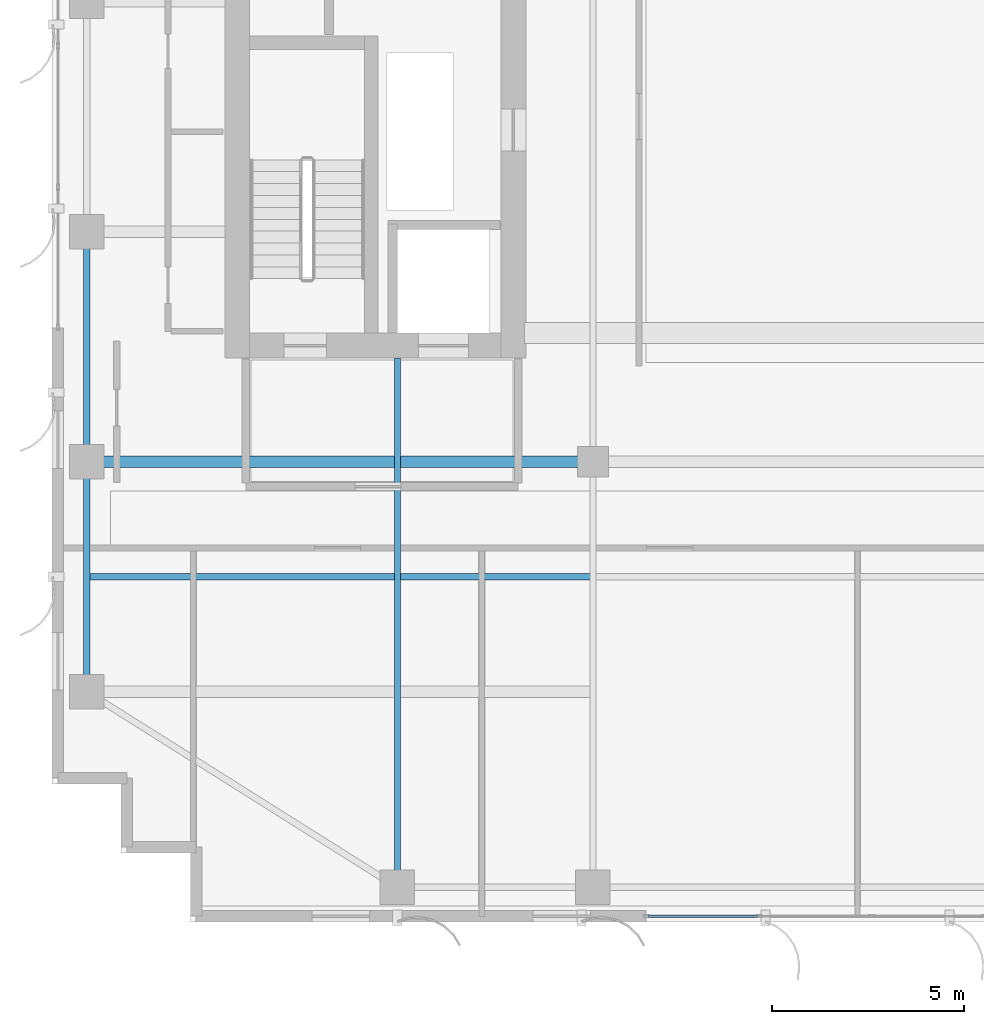
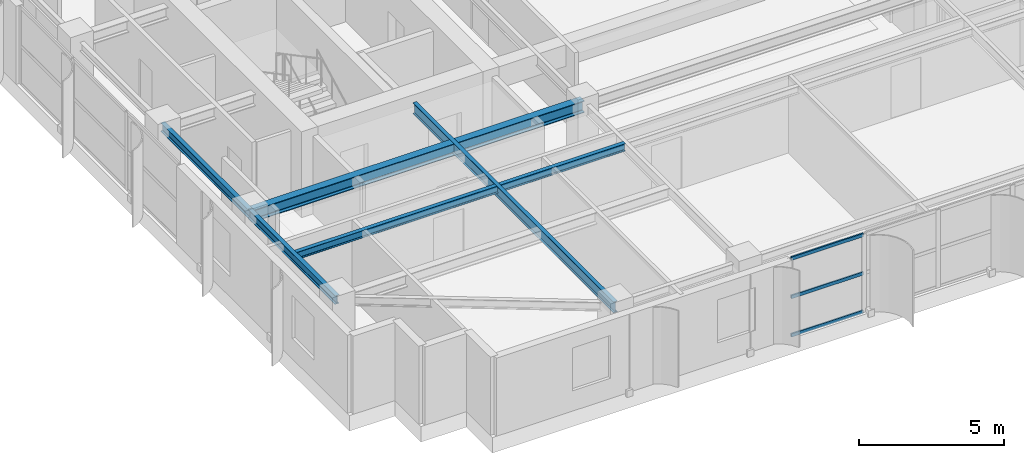
# One storey, part 3 of 25: 5 beams, 3 members, 1 element without a shape of its own.
"""IFC4 building model written with IfcOpenShell, lengths in metres."""

import ifcopenshell
import ifcopenshell.guid

model = None  # the IFC model being written
_history = None  # IfcOwnerHistory: only IFC2X3 demands one
_inside = {}  # id of a spatial element -> (the spatial element, [elements in it])
_under = {}  # id of a project, library or spatial element -> (it, [spatial elements below it])
_declared = {}  # id of a project -> (the project, [libraries it declares])
_typed = {}  # id of a type object -> (the type object, [elements of that type])
_made_of = {}  # id of a material, layer set ... -> (it, [elements and type objects made of it])


def new_model(schema):
    """Start an empty IFC model of exactly this schema.

    Asked for "IFC4X3", IfcOpenShell would pick the latest addendum, in which some entities
    have other attributes; the version numbers below select the first issue.
    IFC2X3 requires an IfcOwnerHistory on every rooted entity: one is made here for all.
    """
    global model, _history
    if schema == "IFC4X3":
        model = ifcopenshell.file(schema_version=(4, 3, 0, 0))
    else:
        model = ifcopenshell.file(schema=schema)
    _inside.clear()
    _under.clear()
    _declared.clear()
    _typed.clear()
    _made_of.clear()
    _history = None
    if model.schema == "IFC2X3":
        org = make("IfcOrganization", Name="unknown")
        user = make(
            "IfcPersonAndOrganization",
            ThePerson=make("IfcPerson", FamilyName="unknown"),
            TheOrganization=org,
        )
        app = make(
            "IfcApplication",
            ApplicationDeveloper=org,
            Version="unknown",
            ApplicationFullName="unknown",
            ApplicationIdentifier="unknown",
        )
        _history = make(
            "IfcOwnerHistory",
            OwningUser=user,
            OwningApplication=app,
            ChangeAction="ADDED",
            CreationDate=0,
        )
    return model


def make(cls, **values):
    """One entity of the class cls with the attributes given. An attribute that is None is left unset."""
    return model.create_entity(
        cls, **{name: value for name, value in values.items() if value is not None}
    )


def rooted(cls, **values):
    """An entity with a GlobalId (a new one), such as an element, a storey or a relation."""
    return make(cls, GlobalId=ifcopenshell.guid.new(), OwnerHistory=_history, **values)


def si_unit(unit_type, name, prefix=None):
    """IfcSIUnit, for example si_unit("LENGTHUNIT", "METRE", prefix="MILLI")."""
    return make("IfcSIUnit", UnitType=unit_type, Prefix=prefix, Name=name)


def assignment(units):
    """IfcUnitAssignment: the units of a project."""
    return None if units is None else make("IfcUnitAssignment", Units=units)


def point(xyz):
    """IfcCartesianPoint."""
    return None if xyz is None else make("IfcCartesianPoint", Coordinates=xyz)


def direction(xyz):
    """IfcDirection."""
    return None if xyz is None else make("IfcDirection", DirectionRatios=xyz)


def frame(location, z_axis=None, x_axis=None):
    """IfcAxis2Placement3D, a coordinate frame: its origin and axes. An axis left out is left unset."""
    return make(
        "IfcAxis2Placement3D",
        Location=point(location),
        Axis=direction(z_axis),
        RefDirection=direction(x_axis),
    )


def frame_2d(location, x_axis=None):
    """IfcAxis2Placement2D, a coordinate frame in the plane: its origin and x axis."""
    return make(
        "IfcAxis2Placement2D", Location=point(location), RefDirection=direction(x_axis)
    )


def origin():
    """The frame at (0, 0, 0) with its axes left unset."""
    return frame((0.0, 0.0, 0.0))


def origin_2d():
    """The frame at (0, 0) in the plane with its x axis left unset."""
    return frame_2d((0.0, 0.0))


def place(relative_to, where):
    """IfcLocalPlacement: puts the frame where relative to a parent placement (None: the world)."""
    return make(
        "IfcLocalPlacement", PlacementRelTo=relative_to, RelativePlacement=where
    )


def context(
    kind, dimensions, precision=None, world=None, true_north=None, identifier=None
):
    """IfcGeometricRepresentationContext, for example the 3D "Model" context."""
    return make(
        "IfcGeometricRepresentationContext",
        ContextIdentifier=identifier,
        ContextType=kind,
        CoordinateSpaceDimension=dimensions,
        Precision=precision,
        WorldCoordinateSystem=world,
        TrueNorth=true_north,
    )


def subcontext(parent, identifier, kind, view, scale=None):
    """IfcGeometricRepresentationSubContext, for example "Body" below "Model"."""
    return make(
        "IfcGeometricRepresentationSubContext",
        ContextIdentifier=identifier,
        ContextType=kind,
        ParentContext=parent,
        TargetScale=scale,
        TargetView=view,
    )


def project(units=None, contexts=None):
    """IfcProject with its units and contexts."""
    return rooted(
        "IfcProject",
        Name="project",
        RepresentationContexts=contexts,
        UnitsInContext=assignment(units),
    )


def spatial(cls, under=None, at=None, **own):
    """A site, building, storey or space (cls), placed at a placement, below another one or the project."""
    s = rooted(cls, ObjectPlacement=at, **own)
    if under is not None:
        _under.setdefault(under.id(), (under, []))[1].append(s)
    return s


def profile(cls, at=None, kind="AREA", **sizes):
    """A parametric profile (cls). Its sizes go by their IFC names, for example OverallWidth=200.0."""
    return make(cls, ProfileType=kind, Position=at, **sizes)


def hollow_rectangle(**sizes):
    """IfcRectangleHollowProfileDef."""
    return profile("IfcRectangleHollowProfileDef", **sizes)


def i_section(**sizes):
    """IfcIShapeProfileDef."""
    return profile("IfcIShapeProfileDef", **sizes)


def extrude(swept, where, along, depth):
    """IfcExtrudedAreaSolid: the profile swept, set in the frame where, extruded along a direction by depth."""
    return make(
        "IfcExtrudedAreaSolid",
        SweptArea=swept,
        Position=where,
        ExtrudedDirection=direction(along),
        Depth=depth,
    )


def shape(context_of_items, identifier, shape_type, items):
    """IfcShapeRepresentation: the items that make up one representation, for example the "Body"."""
    return make(
        "IfcShapeRepresentation",
        ContextOfItems=context_of_items,
        RepresentationIdentifier=identifier,
        RepresentationType=shape_type,
        Items=items,
    )


def source(mapping_origin, context_of_items, identifier, shape_type, items):
    """IfcRepresentationMap: a shape defined once, which mapped items show again and again."""
    return make(
        "IfcRepresentationMap",
        MappingOrigin=mapping_origin,
        MappedRepresentation=shape(context_of_items, identifier, shape_type, items),
    )


def transform(
    local_origin,
    x_axis=None,
    y_axis=None,
    z_axis=None,
    scale=None,
    scale2=None,
    scale3=None,
    uniform=True,
):
    """IfcCartesianTransformationOperator3D, or its non-uniform kind. x_axis, y_axis, z_axis: its Axis1, 2, 3."""
    if uniform:
        return make(
            "IfcCartesianTransformationOperator3D",
            Axis1=direction(x_axis),
            Axis2=direction(y_axis),
            LocalOrigin=point(local_origin),
            Scale=scale,
            Axis3=direction(z_axis),
        )
    return make(
        "IfcCartesianTransformationOperator3DnonUniform",
        Axis1=direction(x_axis),
        Axis2=direction(y_axis),
        LocalOrigin=point(local_origin),
        Scale=scale,
        Axis3=direction(z_axis),
        Scale2=scale2,
        Scale3=scale3,
    )


def mapped(mapping_source, mapping_target):
    """IfcMappedItem: shows the shape of a source again, moved by a transform."""
    return make(
        "IfcMappedItem", MappingSource=mapping_source, MappingTarget=mapping_target
    )


def material(Name=None, Category=None):
    """IfcMaterial."""
    return make("IfcMaterial", Name=Name, Category=Category)


def layer(
    of_material, thickness, ventilated=None, Name=None, Category=None, Priority=None
):
    """IfcMaterialLayer: one layer of a wall or slab, of a material (None: an air gap)."""
    return make(
        "IfcMaterialLayer",
        Material=of_material,
        LayerThickness=thickness,
        IsVentilated=ventilated,
        Name=Name,
        Category=Category,
        Priority=Priority,
    )


def layer_set(layers, Name=None):
    """IfcMaterialLayerSet."""
    return make("IfcMaterialLayerSet", MaterialLayers=layers, LayerSetName=Name)


def material_profile(
    of_material, cross_section, Name=None, Category=None, Priority=None
):
    """IfcMaterialProfile: a cross section and its material."""
    return make(
        "IfcMaterialProfile",
        Name=Name,
        Material=of_material,
        Profile=cross_section,
        Priority=Priority,
        Category=Category,
    )


def profile_set(profiles, Name=None, composite=None):
    """IfcMaterialProfileSet."""
    return make(
        "IfcMaterialProfileSet",
        Name=Name,
        MaterialProfiles=profiles,
        CompositeProfile=composite,
    )


def made_of(thing, what):
    """Note that an element or type object is made of a material, layer set ...; save() writes the relation."""
    if what is not None:
        _made_of.setdefault(what.id(), (what, []))[1].append(thing)
    return thing


def type_object(cls, material=None, **own):
    """A type object (cls), such as IfcWallType, which elements share."""
    return made_of(rooted(cls, **own), material)


def element(
    cls,
    number,
    at=None,
    inside=None,
    cuts=None,
    type_object=None,
    material=None,
    context=None,
    identifier="Body",
    shape_type=None,
    held_by="IfcProductDefinitionShape",
    body=None,
    shapes=None,
    **own,
):
    """One element of the class cls, such as IfcWall. Its Tag is "e" and its number.

    at: its placement. inside: the storey or other place that contains it. cuts: it is an
    opening in that element (IfcRelVoidsElement). A single representation is given by context,
    identifier, shape_type and body (its items); several are given by shapes. held_by: the class
    of the entity that holds the representations. save() writes the other relations.
    """
    e = rooted(cls, Tag="e%d" % number, ObjectPlacement=at, **own)
    if body is not None:
        shapes = [shape(context, identifier, shape_type, body)]
    if shapes is not None:
        e.Representation = make(held_by, Representations=shapes)
    if inside is not None:
        _inside.setdefault(inside.id(), (inside, []))[1].append(e)
    if cuts is not None:
        rooted(
            "IfcRelVoidsElement", RelatingBuildingElement=cuts, RelatedOpeningElement=e
        )
    if type_object is not None:
        _typed.setdefault(type_object.id(), (type_object, []))[1].append(e)
    return made_of(e, material)


def aggregate(whole, parts):
    """IfcRelAggregates: a whole, such as a stair, and the parts it consists of."""
    return rooted("IfcRelAggregates", RelatingObject=whole, RelatedObjects=parts)


def save(model, path):
    """Write the relations noted so far, then the file.

    IfcRelAggregates (storeys below a building ...), IfcRelContainedInSpatialStructure (elements
    in a storey), IfcRelDefinesByType, IfcRelAssociatesMaterial and IfcRelDeclares: one each for
    every whole, place, type object, material and project.
    """
    for whole, parts in _under.values():
        aggregate(whole, parts)
    for where, things in _inside.values():
        rooted(
            "IfcRelContainedInSpatialStructure",
            RelatedElements=things,
            RelatingStructure=where,
        )
    for kind, things in _typed.values():
        rooted("IfcRelDefinesByType", RelatedObjects=things, RelatingType=kind)
    for what, things in _made_of.values():
        rooted("IfcRelAssociatesMaterial", RelatedObjects=things, RelatingMaterial=what)
    for by, libraries in _declared.values():
        rooted("IfcRelDeclares", RelatingContext=by, RelatedDefinitions=libraries)
    model.write(path)


model = new_model("IFC4")

# Units and contexts
model_context = context("Model", 3, precision=1e-05, world=origin(), true_north=direction((0.0, 1.0)))
body_context = subcontext(model_context, "Body", "Model", "MODEL_VIEW")
ifc_project = project(units=[si_unit("LENGTHUNIT", "METRE"), si_unit("AREAUNIT", "SQUARE_METRE"), si_unit("VOLUMEUNIT", "CUBIC_METRE"), si_unit("PLANEANGLEUNIT", "RADIAN"), si_unit("MASSUNIT", "GRAM", prefix="KILO")], contexts=[model_context])

# Site, building, storey
site_placement = place(None, origin())
site = spatial("IfcSite", under=ifc_project, at=site_placement, CompositionType="ELEMENT")
building_placement = place(site_placement, origin())
building = spatial("IfcBuilding", under=site, at=building_placement, Name="Khoralis Quay Care Tower", CompositionType="ELEMENT")
storey_placement = place(building_placement, frame((0.0, 0.0, 216.89990234375)))
storey = spatial("IfcBuildingStorey", under=building, at=storey_placement, Name="L57", CompositionType="ELEMENT", Elevation=216.89990234375)

# Beams
ifc_material_1 = material(Name="Steel S355", Category="steel")
ifc_material_profile_1 = material_profile(ifc_material_1, i_section(OverallWidth=0.169921875, OverallDepth=0.360107421875, WebThickness=0.008056640625, FlangeThickness=0.0126953125, FilletRadius=0.01806640625, at=origin_2d()), Name="Steel S355")
ifc_profile_set_1 = profile_set([ifc_material_profile_1], Name="Steel S355")
beam_type_1 = type_object("IfcBeamType", Name="BM-IPE360", PredefinedType="SPANDREL", material=ifc_profile_set_1)
shared_shape_1 = source(origin(), body_context, "Body", "SweptSolid", [
    extrude(i_section(OverallWidth=0.169921875, OverallDepth=0.360107421875, WebThickness=0.008056640625, FlangeThickness=0.0126953125, FilletRadius=0.01806640625, at=origin_2d()), origin(), (0.0, 0.0, 1.0), 6.0),
])
for number, where, z_axis, x_axis, name in (
    (1, (3.89990234375, 6.0, 3.10009765625), (0.0, 1.0, 0.0), (-1.0, 0.0, 0.0), "BM-TSP-L57-07"),
    (2, (3.89990234375, 12.0, 3.10009765625), (0.0, 1.0, 0.0), (-1.0, 0.0, 0.0), "BM-TSP-L57-08"),
):
    element("IfcBeam", number, at=place(storey_placement, frame(where, z_axis=z_axis, x_axis=x_axis)), inside=storey, type_object=beam_type_1, Name=name, PredefinedType="SPANDREL", context=body_context, shape_type="MappedRepresentation", body=[
        mapped(shared_shape_1, transform((0.0, 0.0, 0.0), scale=1.0)),
    ])
ifc_material_profile_2 = material_profile(ifc_material_1, i_section(OverallWidth=0.300048828125, OverallDepth=0.5, WebThickness=0.014404296875, FlangeThickness=0.028076171875, FilletRadius=0.027099609375, at=origin_2d()), Name="Steel S355")
ifc_profile_set_2 = profile_set([ifc_material_profile_2], Name="Steel S355")
beam_type_2 = type_object("IfcBeamType", Name="BM-HEB500", PredefinedType="BEAM", material=ifc_profile_set_2)
shared_shape_2 = source(origin(), body_context, "Body", "SweptSolid", [
    extrude(i_section(OverallWidth=0.300048828125, OverallDepth=0.5, WebThickness=0.014404296875, FlangeThickness=0.028076171875, FilletRadius=0.027099609375, at=origin_2d()), origin(), (0.0, 0.0, 1.0), 13.2001953125),
])
beam_1_placement = place(storey_placement, frame((3.89990234375, 12.0, 3.030029296875), z_axis=(1.0, 0.0, 0.0), x_axis=(0.0, 1.0, 0.0)))
element("IfcBeam", 3, at=beam_1_placement, inside=storey, type_object=beam_type_2, Name="BM-TGXW-L57-120", PredefinedType="BEAM", context=body_context, shape_type="MappedRepresentation", body=[
    mapped(shared_shape_2, transform((0.0, 0.0, 0.0), scale=1.0)),
])
ifc_material_profile_3 = material_profile(ifc_material_1, i_section(OverallWidth=0.154052734375, OverallDepth=0.458984375, WebThickness=0.009033203125, FlangeThickness=0.015380859375, FilletRadius=0.014892578125, at=origin_2d()), Name="Steel S355")
ifc_profile_set_3 = profile_set([ifc_material_profile_3], Name="Steel S355")
beam_type_3 = type_object("IfcBeamType", Name="BM-W460X68", PredefinedType="BEAM", material=ifc_profile_set_3)
shared_shape_3 = source(origin(), body_context, "Body", "SweptSolid", [
    extrude(i_section(OverallWidth=0.154052734375, OverallDepth=0.458984375, WebThickness=0.009033203125, FlangeThickness=0.015380859375, FilletRadius=0.014892578125, at=origin_2d()), origin(), (0.0, 0.0, 1.0), 13.802001953125),
])
beam_2_placement = place(storey_placement, frame((12.0, 0.89990234375, 3.050537109375), z_axis=(0.0, 1.0, 0.0), x_axis=(-1.0, 0.0, 0.0)))
element("IfcBeam", 4, at=beam_2_placement, inside=storey, type_object=beam_type_3, Name="BM-TGYS-L57-120", PredefinedType="BEAM", context=body_context, shape_type="MappedRepresentation", body=[
    mapped(shared_shape_3, transform((0.0, 0.0, 0.0), scale=1.0)),
])
ifc_material_profile_4 = material_profile(ifc_material_1, i_section(OverallWidth=0.1650390625, OverallDepth=0.31005859375, WebThickness=0.005859375, FlangeThickness=0.009765625, FilletRadius=0.011962890625, at=origin_2d()), Name="Steel S355")
ifc_profile_set_4 = profile_set([ifc_material_profile_4], Name="Steel S355")
beam_type_4 = type_object("IfcBeamType", Name="BM-W310X39", PredefinedType="JOIST", material=ifc_profile_set_4)
shared_shape_4 = source(origin(), body_context, "Body", "SweptSolid", [
    extrude(i_section(OverallWidth=0.1650390625, OverallDepth=0.31005859375, WebThickness=0.005859375, FlangeThickness=0.009765625, FilletRadius=0.011962890625, at=origin_2d()), origin(), (0.0, 0.0, 1.0), 13.06396484375),
])
beam_3_placement = place(storey_placement, frame((3.970947265625, 9.0, 3.125), z_axis=(1.0, 0.0, 0.0), x_axis=(0.0, 1.0, 0.0)))
element("IfcBeam", 5, at=beam_3_placement, inside=storey, type_object=beam_type_4, Name="BM-TJS-L57-21", PredefinedType="JOIST", context=body_context, shape_type="MappedRepresentation", body=[
    mapped(shared_shape_4, transform((0.0, 0.0, 0.0), scale=1.0)),
])

# Curtain wall, members
ifc_material_2 = material(Name="Pale anodised aluminium", Category="aluminium")
ifc_layer = layer(ifc_material_2, 0.159912109375)
ifc_layer_set = layer_set([ifc_layer], Name="Pale anodised aluminium")
curtain_wall_type = type_object("IfcCurtainWallType", Name="CW-SYS-Z3", PredefinedType="NOTDEFINED", material=ifc_layer_set)
curtain_wall_placement = place(storey_placement, origin())
curtain_wall = element("IfcCurtainWall", 6, at=curtain_wall_placement, inside=storey, type_object=curtain_wall_type, Name="L57 Unitised Curtain Wall CW-L57-P1-E0", PredefinedType="NOTDEFINED")
ifc_material_profile_5 = material_profile(ifc_material_2, hollow_rectangle(XDim=0.06005859375, YDim=0.139892578125, WallThickness=0.00390625, at=origin_2d()), Name="Pale anodised aluminium")
ifc_profile_set_5 = profile_set([ifc_material_profile_5], Name="Pale anodised aluminium")
member_type = type_object("IfcMemberType", Name="CW-TRN-140", PredefinedType="USERDEFINED", material=ifc_profile_set_5)
shared_shape_5 = source(origin(), body_context, "Body", "SweptSolid", [
    extrude(hollow_rectangle(XDim=0.06005859375, YDim=0.139892578125, WallThickness=0.00390625, at=origin_2d()), origin(), (0.0, 0.0, 1.0), 2.85400390625),
])
member_1_placement = place(storey_placement, frame((18.5400390625, 0.14990234375, 0.030029296875), z_axis=(1.0, 0.0, 0.0), x_axis=(0.0, 1.0, 0.0)))
member_1 = element("IfcMember", 7, at=member_1_placement, type_object=member_type, Name="CW3 transom 1.1", ObjectType="TRANSOM", PredefinedType="USERDEFINED", context=body_context, shape_type="MappedRepresentation", body=[
    mapped(shared_shape_5, transform((0.0, 0.0, 0.0), scale=1.0)),
])
member_2_placement = place(storey_placement, frame((18.5400390625, 0.14990234375, 1.64013671875), z_axis=(1.0, 0.0, 0.0), x_axis=(0.0, 1.0, 0.0)))
member_2 = element("IfcMember", 8, at=member_2_placement, type_object=member_type, Name="CW3 transom 1.2", ObjectType="TRANSOM", PredefinedType="USERDEFINED", context=body_context, shape_type="MappedRepresentation", body=[
    mapped(shared_shape_5, transform((0.0, 0.0, 0.0), scale=1.0)),
])
member_3_placement = place(storey_placement, frame((18.5400390625, 0.14990234375, 3.25), z_axis=(1.0, 0.0, 0.0), x_axis=(0.0, 1.0, 0.0)))
member_3 = element("IfcMember", 9, at=member_3_placement, type_object=member_type, Name="CW3 transom 1.3", ObjectType="TRANSOM", PredefinedType="USERDEFINED", context=body_context, shape_type="MappedRepresentation", body=[
    mapped(shared_shape_5, transform((0.0, 0.0, 0.0), scale=1.0)),
])
aggregate(curtain_wall, [member_1, member_2, member_3])

save(model, "model.ifc")
